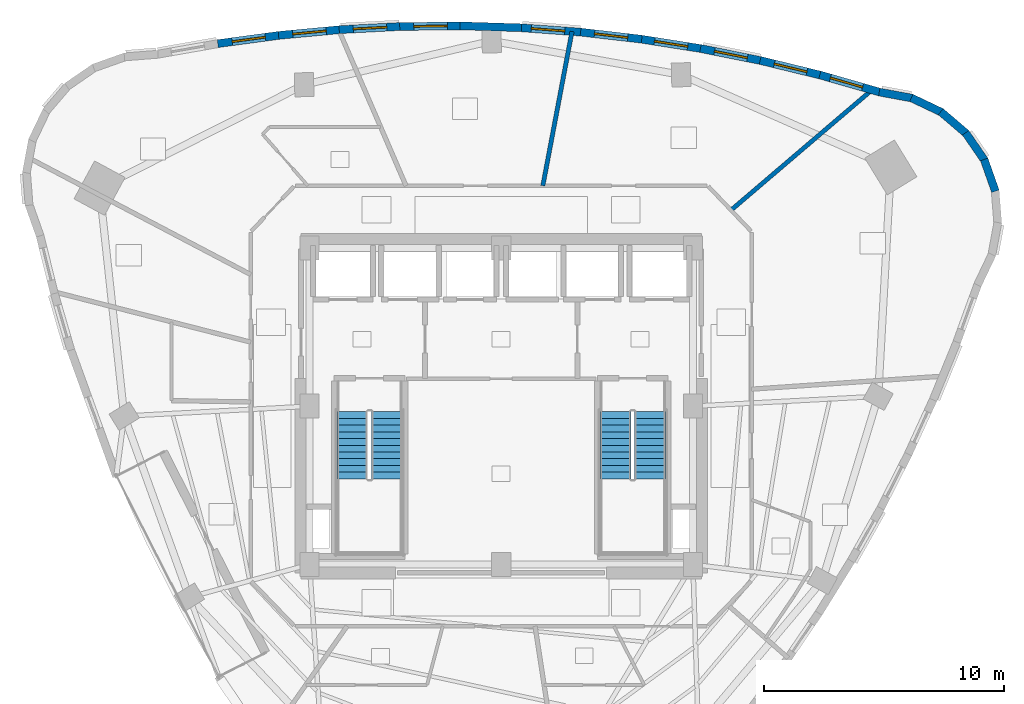
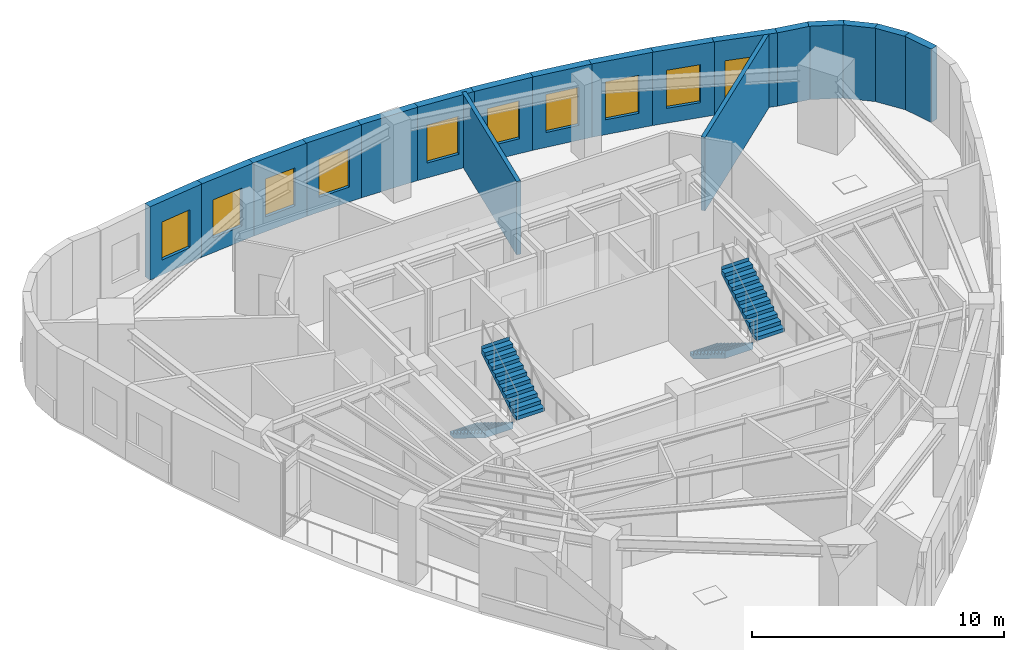
# One storey, part 9 of 12: 18 walls, 10 windows, 4 stair flights, 10 openings, 2 elements without a shape of their own.
"""IFC4 building model written with IfcOpenShell, lengths in metres."""

from ifc_helpers import new_model, si_unit, direction, frame, frame_2d, origin, place, context, subcontext, project, spatial, polyline, rectangle, outline, extrude, material, layer, layer_set, type_object, element, fill, aggregate, save


model = new_model("IFC4")

# Units and contexts
model_context = context("Model", 3, precision=1e-05, world=origin(), true_north=direction((0.0, 1.0)))
body_context = subcontext(model_context, "Body", "Model", "MODEL_VIEW")
ifc_project = project(units=[si_unit("LENGTHUNIT", "METRE"), si_unit("AREAUNIT", "SQUARE_METRE"), si_unit("VOLUMEUNIT", "CUBIC_METRE"), si_unit("PLANEANGLEUNIT", "RADIAN"), si_unit("MASSUNIT", "GRAM", prefix="KILO")], contexts=[model_context])

# Site, building, storey
site_placement = place(None, origin())
site = spatial("IfcSite", under=ifc_project, at=site_placement, CompositionType="ELEMENT")
building_placement = place(site_placement, origin())
building = spatial("IfcBuilding", under=site, at=building_placement, Name="Ndelora Gate Hotel", CompositionType="ELEMENT")
storey_placement = place(building_placement, frame((0.0, 0.0, 194.14990234375)))
storey = spatial("IfcBuildingStorey", under=building, at=storey_placement, Name="L48", CompositionType="ELEMENT", Elevation=194.14990234375)

# Walls
ifc_material_1 = material(Name="Acoustic Double-Stud Gypsum Assembly", Category="gypsum")
ifc_layer_1 = layer(ifc_material_1, 0.179931640625)
ifc_layer_set_1 = layer_set([ifc_layer_1], Name="Acoustic Double-Stud Gypsum Assembly")
wall_type_1 = type_object("IfcWallType", Name="WL-ACOUST-180", PredefinedType="PARTITIONING", material=ifc_layer_set_1)
wall_1_placement = place(storey_placement, frame((9.591064453125, 8.18115234375, 0.0), z_axis=(0.0, 0.0, 1.0), x_axis=(0.760812400489, 0.648971872474, 0.0)))
element("IfcWall", 1, at=wall_1_placement, inside=storey, type_object=wall_type_1, Name="L48 Interior Wall IW-3", PredefinedType="PARTITIONING", context=body_context, shape_type="SweptSolid", body=[
    extrude(rectangle(XDim=7.73193359375, YDim=0.179931640625, at=frame_2d((3.865966796875, 0.0))), origin(), (0.0, 0.0, 1.0), 3.550048828125),
])
wall_2_placement = place(storey_placement, frame((1.73876953125, 9.199951171875, 0.0), z_axis=(0.0, 0.0, 1.0), x_axis=(0.185690346743, 0.98260831216, 0.0)))
element("IfcWall", 2, at=wall_2_placement, inside=storey, type_object=wall_type_1, Name="L48 Interior Wall IW-3", PredefinedType="PARTITIONING", context=body_context, shape_type="SweptSolid", body=[
    extrude(rectangle(XDim=6.55029296875, YDim=0.179931640625, at=frame_2d((3.275146484375, 0.0))), origin(), (0.0, 0.0, 1.0), 3.550048828125),
])
ifc_material_2 = material(Name="Clay Brick Masonry", Category="masonry")
ifc_layer_2 = layer(ifc_material_2, 0.330078125)
ifc_layer_set_2 = layer_set([ifc_layer_2], Name="Clay Brick Masonry")
wall_type_2 = type_object("IfcWallType", Name="WL-BRICK-330", PredefinedType="SOLIDWALL", material=ifc_layer_set_2)
wall_3_placement = place(storey_placement, frame((20.153564453125, 10.296630859375, 0.0), z_axis=(0.0, 0.0, 1.0), x_axis=(0.333709077945, -0.942676111555, 0.0)))
element("IfcWall", 3, at=wall_3_placement, inside=storey, type_object=wall_type_2, Name="L48 Tower Brick Pier-and-Spandrel Wall TWR-42", PredefinedType="SOLIDWALL", context=body_context, shape_type="SweptSolid", body=[
    extrude(rectangle(XDim=1.40771484375, YDim=0.330078125, at=frame_2d((0.703857421875, 0.0))), origin(), (0.0, 0.0, 1.0), 3.550048828125),
])
for number, where, z_axis, x_axis, name in (
    (4, (19.37890625, 11.412353515625, 0.0), (0.0, 0.0, 1.0), (0.566374209812, -0.824148199331, 0.0), "L48 Tower Brick Pier-and-Spandrel Wall TWR-43"),
    (5, (18.341796875, 12.28955078125, 0.0), (0.0, 0.0, 1.0), (0.760430782952, -0.64941898982, 0.0), "L48 Tower Brick Pier-and-Spandrel Wall TWR-44"),
    (6, (17.113037109375, 12.86865234375, 0.0), (0.0, 0.0, 1.0), (0.902565310806, -0.430552969714, 0.0), "L48 Tower Brick Pier-and-Spandrel Wall TWR-45"),
):
    element("IfcWall", number, at=place(storey_placement, frame(where, z_axis=z_axis, x_axis=x_axis)), inside=storey, type_object=wall_type_2, Name=name, PredefinedType="SOLIDWALL", context=body_context, shape_type="SweptSolid", body=[
        extrude(rectangle(XDim=1.407470703125, YDim=0.330078125, at=frame_2d((0.70361328125, 0.0))), origin(), (0.0, 0.0, 1.0), 3.550048828125),
    ])
wall_4_placement = place(storey_placement, frame((15.7763671875, 13.109619140625, 0.0), z_axis=(0.0, 0.0, 1.0), x_axis=(0.983270499209, -0.182151380411, 0.0)))
element("IfcWall", 7, at=wall_4_placement, inside=storey, type_object=wall_type_2, Name="L48 Tower Brick Pier-and-Spandrel Wall TWR-46", PredefinedType="SOLIDWALL", context=body_context, shape_type="SweptSolid", body=[
    extrude(rectangle(XDim=1.4072265625, YDim=0.330078125, at=frame_2d((0.70361328125, 0.0))), origin(), (0.0, 0.0, 1.0), 3.550048828125),
])

# Wall, opening, window
wall_5_placement = place(storey_placement, frame((13.295166015625, 13.823486328125, 0.0), z_axis=(0.0, 0.0, 1.0), x_axis=(0.961267980462, -0.275615438135, 0.0)))
wall_5 = element("IfcWall", 8, at=wall_5_placement, inside=storey, type_object=wall_type_2, Name="L48 Tower Brick Pier-and-Spandrel Wall TWR-47", PredefinedType="SOLIDWALL", context=body_context, shape_type="SweptSolid", body=[
    extrude(rectangle(XDim=2.6318359375, YDim=0.330078125, at=frame_2d((1.31591796875, 0.0))), origin(), (0.0, 0.0, 1.0), 3.550048828125),
])
opening_1_placement = place(wall_5_placement, frame((0.4599609375, 0.0, 0.719970703125)))
opening_1 = element("IfcOpeningElement", 9, at=opening_1_placement, cuts=wall_5, Name="Opening W02", PredefinedType="OPENING", context=body_context, shape_type="SweptSolid", body=[
    extrude(rectangle(XDim=1.39990234375, YDim=1.840087890625, at=frame_2d((0.699951171875, 0.919921875))), frame((0.0, 0.175048828125, 0.0), z_axis=(0.0, -1.0, 0.0), x_axis=(1.0, 0.0, 0.0)), (0.0, 0.0, 1.0), 0.35009765625),
])
ifc_material_3 = material(Name="Insulated Low-E Double Glazing in Bronze Aluminium Frame", Category="aluminium")
window_type = type_object("IfcWindowType", Name="WN-DEEP-1400", PartitioningType="SINGLE_PANEL", PredefinedType="WINDOW", material=ifc_material_3)
window_1_placement = place(opening_1_placement, origin())
window_1 = element("IfcWindow", 10, at=window_1_placement, inside=storey, type_object=window_type, Name="L48 Deep-Set Brick-Pier Window W02", OverallHeight=1.840087890625, OverallWidth=1.39990234375, PartitioningType="SINGLE_PANEL", PredefinedType="WINDOW", context=body_context, shape_type="SweptSolid", body=[
    extrude(rectangle(XDim=1.39990234375, YDim=1.840087890625, at=frame_2d((0.699951171875, 0.919921875))), frame((0.0, 0.030029296875, 0.0), z_axis=(0.0, -1.0, 0.0), x_axis=(1.0, 0.0, 0.0)), (0.0, 0.0, 1.0), 0.06005859375),
])
fill(opening_1, window_1)

wall_6_placement = place(storey_placement, frame((10.8076171875, 14.428466796875, 0.0), z_axis=(0.0, 0.0, 1.0), x_axis=(0.971593821021, -0.236654699835, 0.0)))
wall_6 = element("IfcWall", 11, at=wall_6_placement, inside=storey, type_object=wall_type_2, Name="L48 Tower Brick Pier-and-Spandrel Wall TWR-48", PredefinedType="SOLIDWALL", context=body_context, shape_type="SweptSolid", body=[
    extrude(rectangle(XDim=2.610107421875, YDim=0.330078125, at=frame_2d((1.30517578125, 0.0))), origin(), (0.0, 0.0, 1.0), 3.550048828125),
])
opening_2_placement = place(wall_6_placement, frame((0.60498046875, 0.0, 0.719970703125)))
opening_2 = element("IfcOpeningElement", 12, at=opening_2_placement, cuts=wall_6, Name="Opening W02", PredefinedType="OPENING", context=body_context, shape_type="SweptSolid", body=[
    extrude(rectangle(XDim=1.39990234375, YDim=1.840087890625, at=frame_2d((0.699951171875, 0.919921875))), frame((0.0, 0.175048828125, 0.0), z_axis=(0.0, -1.0, 0.0), x_axis=(1.0, 0.0, 0.0)), (0.0, 0.0, 1.0), 0.35009765625),
])
window_2_placement = place(opening_2_placement, origin())
window_2 = element("IfcWindow", 13, at=window_2_placement, inside=storey, type_object=window_type, Name="L48 Deep-Set Brick-Pier Window W02", OverallHeight=1.840087890625, OverallWidth=1.39990234375, PartitioningType="SINGLE_PANEL", PredefinedType="WINDOW", context=body_context, shape_type="SweptSolid", body=[
    extrude(rectangle(XDim=1.39990234375, YDim=1.840087890625, at=frame_2d((0.699951171875, 0.919921875))), frame((0.0, 0.030029296875, 0.0), z_axis=(0.0, -1.0, 0.0), x_axis=(1.0, 0.0, 0.0)), (0.0, 0.0, 1.0), 0.06005859375),
])
fill(opening_2, window_2)

wall_7_placement = place(storey_placement, frame((8.314697265625, 14.927978515625, 0.0), z_axis=(0.0, 0.0, 1.0), x_axis=(0.980439161236, -0.196822384688, 0.0)))
wall_7 = element("IfcWall", 14, at=wall_7_placement, inside=storey, type_object=wall_type_2, Name="L48 Tower Brick Pier-and-Spandrel Wall TWR-49", PredefinedType="SOLIDWALL", context=body_context, shape_type="SweptSolid", body=[
    extrude(rectangle(XDim=2.592529296875, YDim=0.330078125, at=frame_2d((1.29638671875, 0.0))), origin(), (0.0, 0.0, 1.0), 3.550048828125),
])
opening_3_placement = place(wall_7_placement, frame((0.59619140625, 0.0, 0.719970703125)))
opening_3 = element("IfcOpeningElement", 15, at=opening_3_placement, cuts=wall_7, Name="Opening W02", PredefinedType="OPENING", context=body_context, shape_type="SweptSolid", body=[
    extrude(rectangle(XDim=1.39990234375, YDim=1.840087890625, at=frame_2d((0.699951171875, 0.919921875))), frame((0.0, 0.175048828125, 0.0), z_axis=(0.0, -1.0, 0.0), x_axis=(1.0, 0.0, 0.0)), (0.0, 0.0, 1.0), 0.35009765625),
])
window_3_placement = place(opening_3_placement, origin())
window_3 = element("IfcWindow", 16, at=window_3_placement, inside=storey, type_object=window_type, Name="L48 Deep-Set Brick-Pier Window W02", OverallHeight=1.840087890625, OverallWidth=1.39990234375, PartitioningType="SINGLE_PANEL", PredefinedType="WINDOW", context=body_context, shape_type="SweptSolid", body=[
    extrude(rectangle(XDim=1.39990234375, YDim=1.840087890625, at=frame_2d((0.699951171875, 0.919921875))), frame((0.0, 0.030029296875, 0.0), z_axis=(0.0, -1.0, 0.0), x_axis=(1.0, 0.0, 0.0)), (0.0, 0.0, 1.0), 0.06005859375),
])
fill(opening_3, window_3)

wall_8_placement = place(storey_placement, frame((5.816162109375, 15.322265625, 0.0), z_axis=(0.0, 0.0, 1.0), x_axis=(0.987713798628, -0.156273644613, 0.0)))
wall_8 = element("IfcWall", 17, at=wall_8_placement, inside=storey, type_object=wall_type_2, Name="L48 Tower Brick Pier-and-Spandrel Wall TWR-50", PredefinedType="SOLIDWALL", context=body_context, shape_type="SweptSolid", body=[
    extrude(rectangle(XDim=2.579345703125, YDim=0.330078125, at=frame_2d((1.28955078125, 0.0))), origin(), (0.0, 0.0, 1.0), 3.550048828125),
])
opening_4_placement = place(wall_8_placement, frame((0.589599609375, 0.0, 0.719970703125)))
opening_4 = element("IfcOpeningElement", 18, at=opening_4_placement, cuts=wall_8, Name="Opening W02", PredefinedType="OPENING", context=body_context, shape_type="SweptSolid", body=[
    extrude(rectangle(XDim=1.39990234375, YDim=1.840087890625, at=frame_2d((0.699951171875, 0.919921875))), frame((0.0, 0.175048828125, 0.0), z_axis=(0.0, -1.0, 0.0), x_axis=(1.0, 0.0, 0.0)), (0.0, 0.0, 1.0), 0.35009765625),
])
window_4_placement = place(opening_4_placement, origin())
window_4 = element("IfcWindow", 19, at=window_4_placement, inside=storey, type_object=window_type, Name="L48 Deep-Set Brick-Pier Window W02", OverallHeight=1.840087890625, OverallWidth=1.39990234375, PartitioningType="SINGLE_PANEL", PredefinedType="WINDOW", context=body_context, shape_type="SweptSolid", body=[
    extrude(rectangle(XDim=1.39990234375, YDim=1.840087890625, at=frame_2d((0.699951171875, 0.919921875))), frame((0.0, 0.030029296875, 0.0), z_axis=(0.0, -1.0, 0.0), x_axis=(1.0, 0.0, 0.0)), (0.0, 0.0, 1.0), 0.06005859375),
])
fill(opening_4, window_4)

wall_9_placement = place(storey_placement, frame((3.312255859375, 15.611083984375, 0.0), z_axis=(0.0, 0.0, 1.0), x_axis=(0.993362262195, -0.115027892476, 0.0)))
wall_9 = element("IfcWall", 20, at=wall_9_placement, inside=storey, type_object=wall_type_2, Name="L48 Tower Brick Pier-and-Spandrel Wall TWR-51", PredefinedType="SOLIDWALL", context=body_context, shape_type="SweptSolid", body=[
    extrude(rectangle(XDim=2.5703125, YDim=0.330078125, at=frame_2d((1.28515625, 0.0))), origin(), (0.0, 0.0, 1.0), 3.550048828125),
])
opening_5_placement = place(wall_9_placement, frame((0.585205078125, 0.0, 0.719970703125)))
opening_5 = element("IfcOpeningElement", 21, at=opening_5_placement, cuts=wall_9, Name="Opening W02", PredefinedType="OPENING", context=body_context, shape_type="SweptSolid", body=[
    extrude(rectangle(XDim=1.39990234375, YDim=1.840087890625, at=frame_2d((0.699951171875, 0.919921875))), frame((0.0, 0.175048828125, 0.0), z_axis=(0.0, -1.0, 0.0), x_axis=(1.0, 0.0, 0.0)), (0.0, 0.0, 1.0), 0.35009765625),
])
window_5_placement = place(opening_5_placement, origin())
window_5 = element("IfcWindow", 22, at=window_5_placement, inside=storey, type_object=window_type, Name="L48 Deep-Set Brick-Pier Window W02", OverallHeight=1.840087890625, OverallWidth=1.39990234375, PartitioningType="SINGLE_PANEL", PredefinedType="WINDOW", context=body_context, shape_type="SweptSolid", body=[
    extrude(rectangle(XDim=1.39990234375, YDim=1.840087890625, at=frame_2d((0.699951171875, 0.919921875))), frame((0.0, 0.030029296875, 0.0), z_axis=(0.0, -1.0, 0.0), x_axis=(1.0, 0.0, 0.0)), (0.0, 0.0, 1.0), 0.06005859375),
])
fill(opening_5, window_5)

wall_10_placement = place(storey_placement, frame((0.802734375, 15.794189453125, 0.0), z_axis=(0.0, 0.0, 1.0), x_axis=(0.9973127393, -0.073261859308, 0.0)))
wall_10 = element("IfcWall", 23, at=wall_10_placement, inside=storey, type_object=wall_type_2, Name="L48 Tower Brick Pier-and-Spandrel Wall TWR-52", PredefinedType="SOLIDWALL", context=body_context, shape_type="SweptSolid", body=[
    extrude(rectangle(XDim=2.56591796875, YDim=0.330078125, at=frame_2d((1.282958984375, 0.0))), origin(), (0.0, 0.0, 1.0), 3.550048828125),
])
opening_6_placement = place(wall_10_placement, frame((0.4599609375, 0.0, 0.719970703125)))
opening_6 = element("IfcOpeningElement", 24, at=opening_6_placement, cuts=wall_10, Name="Opening W02", PredefinedType="OPENING", context=body_context, shape_type="SweptSolid", body=[
    extrude(rectangle(XDim=1.39990234375, YDim=1.840087890625, at=frame_2d((0.699951171875, 0.919921875))), frame((0.0, 0.175048828125, 0.0), z_axis=(0.0, -1.0, 0.0), x_axis=(1.0, 0.0, 0.0)), (0.0, 0.0, 1.0), 0.35009765625),
])
window_6_placement = place(opening_6_placement, origin())
window_6 = element("IfcWindow", 25, at=window_6_placement, inside=storey, type_object=window_type, Name="L48 Deep-Set Brick-Pier Window W02", OverallHeight=1.840087890625, OverallWidth=1.39990234375, PartitioningType="SINGLE_PANEL", PredefinedType="WINDOW", context=body_context, shape_type="SweptSolid", body=[
    extrude(rectangle(XDim=1.39990234375, YDim=1.840087890625, at=frame_2d((0.699951171875, 0.919921875))), frame((0.0, 0.030029296875, 0.0), z_axis=(0.0, -1.0, 0.0), x_axis=(1.0, 0.0, 0.0)), (0.0, 0.0, 1.0), 0.06005859375),
])
fill(opening_6, window_6)

# Wall
wall_11_placement = place(storey_placement, frame((-1.712158203125, 15.872314453125, 0.0), z_axis=(0.0, 0.0, 1.0), x_axis=(0.999506957349, -0.031398124315, 0.0)))
element("IfcWall", 26, at=wall_11_placement, inside=storey, type_object=wall_type_2, Name="L48 Tower Brick Pier-and-Spandrel Wall TWR-53", PredefinedType="SOLIDWALL", context=body_context, shape_type="SweptSolid", body=[
    extrude(rectangle(XDim=2.56591796875, YDim=0.330078125, at=frame_2d((1.282958984375, 0.0))), origin(), (0.0, 0.0, 1.0), 3.550048828125),
])

# Wall, opening, window
wall_12_placement = place(storey_placement, frame((-4.232666015625, 15.8447265625, 0.0), z_axis=(0.0, 0.0, 1.0), x_axis=(0.999945431053, 0.010446765829, 0.0)))
wall_12 = element("IfcWall", 27, at=wall_12_placement, inside=storey, type_object=wall_type_2, Name="L48 Tower Brick Pier-and-Spandrel Wall TWR-54", PredefinedType="SOLIDWALL", context=body_context, shape_type="SweptSolid", body=[
    extrude(rectangle(XDim=2.57080078125, YDim=0.330078125, at=frame_2d((1.285400390625, 0.0))), origin(), (0.0, 0.0, 1.0), 3.550048828125),
])
opening_7_placement = place(wall_12_placement, frame((0.585205078125, 0.0, 0.719970703125)))
opening_7 = element("IfcOpeningElement", 28, at=opening_7_placement, cuts=wall_12, Name="Opening W02", PredefinedType="OPENING", context=body_context, shape_type="SweptSolid", body=[
    extrude(rectangle(XDim=1.39990234375, YDim=1.840087890625, at=frame_2d((0.699951171875, 0.919921875))), frame((0.0, 0.175048828125, 0.0), z_axis=(0.0, -1.0, 0.0), x_axis=(1.0, 0.0, 0.0)), (0.0, 0.0, 1.0), 0.35009765625),
])
window_7_placement = place(opening_7_placement, origin())
window_7 = element("IfcWindow", 29, at=window_7_placement, inside=storey, type_object=window_type, Name="L48 Deep-Set Brick-Pier Window W02", OverallHeight=1.840087890625, OverallWidth=1.39990234375, PartitioningType="SINGLE_PANEL", PredefinedType="WINDOW", context=body_context, shape_type="SweptSolid", body=[
    extrude(rectangle(XDim=1.39990234375, YDim=1.840087890625, at=frame_2d((0.699951171875, 0.919921875))), frame((0.0, 0.030029296875, 0.0), z_axis=(0.0, -1.0, 0.0), x_axis=(1.0, 0.0, 0.0)), (0.0, 0.0, 1.0), 0.06005859375),
])
fill(opening_7, window_7)

wall_13_placement = place(storey_placement, frame((-6.758544921875, 15.7119140625, 0.0), z_axis=(0.0, 0.0, 1.0), x_axis=(0.998644110944, 0.052057080942, 0.0)))
wall_13 = element("IfcWall", 30, at=wall_13_placement, inside=storey, type_object=wall_type_2, Name="L48 Tower Brick Pier-and-Spandrel Wall TWR-55", PredefinedType="SOLIDWALL", context=body_context, shape_type="SweptSolid", body=[
    extrude(rectangle(XDim=2.579345703125, YDim=0.330078125, at=frame_2d((1.28955078125, 0.0))), origin(), (0.0, 0.0, 1.0), 3.550048828125),
])
opening_8_placement = place(wall_13_placement, frame((0.589599609375, 0.0, 0.719970703125)))
opening_8 = element("IfcOpeningElement", 31, at=opening_8_placement, cuts=wall_13, Name="Opening W02", PredefinedType="OPENING", context=body_context, shape_type="SweptSolid", body=[
    extrude(rectangle(XDim=1.39990234375, YDim=1.840087890625, at=frame_2d((0.699951171875, 0.919921875))), frame((0.0, 0.175048828125, 0.0), z_axis=(0.0, -1.0, 0.0), x_axis=(1.0, 0.0, 0.0)), (0.0, 0.0, 1.0), 0.35009765625),
])
window_8_placement = place(opening_8_placement, origin())
window_8 = element("IfcWindow", 32, at=window_8_placement, inside=storey, type_object=window_type, Name="L48 Deep-Set Brick-Pier Window W02", OverallHeight=1.840087890625, OverallWidth=1.39990234375, PartitioningType="SINGLE_PANEL", PredefinedType="WINDOW", context=body_context, shape_type="SweptSolid", body=[
    extrude(rectangle(XDim=1.39990234375, YDim=1.840087890625, at=frame_2d((0.699951171875, 0.919921875))), frame((0.0, 0.030029296875, 0.0), z_axis=(0.0, -1.0, 0.0), x_axis=(1.0, 0.0, 0.0)), (0.0, 0.0, 1.0), 0.06005859375),
])
fill(opening_8, window_8)

wall_14_placement = place(storey_placement, frame((-9.289794921875, 15.473388671875, 0.0), z_axis=(0.0, 0.0, 1.0), x_axis=(0.9956361402, 0.093320288938, 0.0)))
wall_14 = element("IfcWall", 33, at=wall_14_placement, inside=storey, type_object=wall_type_2, Name="L48 Tower Brick Pier-and-Spandrel Wall TWR-56", PredefinedType="SOLIDWALL", context=body_context, shape_type="SweptSolid", body=[
    extrude(rectangle(XDim=2.592529296875, YDim=0.330078125, at=frame_2d((1.29638671875, 0.0))), origin(), (0.0, 0.0, 1.0), 3.550048828125),
])
opening_9_placement = place(wall_14_placement, frame((0.59619140625, 0.0, 0.719970703125)))
opening_9 = element("IfcOpeningElement", 34, at=opening_9_placement, cuts=wall_14, Name="Opening W02", PredefinedType="OPENING", context=body_context, shape_type="SweptSolid", body=[
    extrude(rectangle(XDim=1.39990234375, YDim=1.840087890625, at=frame_2d((0.699951171875, 0.919921875))), frame((0.0, 0.175048828125, 0.0), z_axis=(0.0, -1.0, 0.0), x_axis=(1.0, 0.0, 0.0)), (0.0, 0.0, 1.0), 0.35009765625),
])
window_9_placement = place(opening_9_placement, origin())
window_9 = element("IfcWindow", 35, at=window_9_placement, inside=storey, type_object=window_type, Name="L48 Deep-Set Brick-Pier Window W02", OverallHeight=1.840087890625, OverallWidth=1.39990234375, PartitioningType="SINGLE_PANEL", PredefinedType="WINDOW", context=body_context, shape_type="SweptSolid", body=[
    extrude(rectangle(XDim=1.39990234375, YDim=1.840087890625, at=frame_2d((0.699951171875, 0.919921875))), frame((0.0, 0.030029296875, 0.0), z_axis=(0.0, -1.0, 0.0), x_axis=(1.0, 0.0, 0.0)), (0.0, 0.0, 1.0), 0.06005859375),
])
fill(opening_9, window_9)

wall_15_placement = place(storey_placement, frame((-11.82666015625, 15.1298828125, 0.0), z_axis=(0.0, 0.0, 1.0), x_axis=(0.991012550784, 0.133768920863, 0.0)))
wall_15 = element("IfcWall", 36, at=wall_15_placement, inside=storey, type_object=wall_type_2, Name="L48 Tower Brick Pier-and-Spandrel Wall TWR-57", PredefinedType="SOLIDWALL", context=body_context, shape_type="SweptSolid", body=[
    extrude(rectangle(XDim=2.60986328125, YDim=0.330078125, at=frame_2d((1.304931640625, 0.0))), origin(), (0.0, 0.0, 1.0), 3.550048828125),
])
opening_10_placement = place(wall_15_placement, frame((0.60498046875, 0.0, 0.719970703125)))
opening_10 = element("IfcOpeningElement", 37, at=opening_10_placement, cuts=wall_15, Name="Opening W02", PredefinedType="OPENING", context=body_context, shape_type="SweptSolid", body=[
    extrude(rectangle(XDim=1.39990234375, YDim=1.840087890625, at=frame_2d((0.699951171875, 0.919921875))), frame((0.0, 0.175048828125, 0.0), z_axis=(0.0, -1.0, 0.0), x_axis=(1.0, 0.0, 0.0)), (0.0, 0.0, 1.0), 0.35009765625),
])
window_10_placement = place(opening_10_placement, origin())
window_10 = element("IfcWindow", 38, at=window_10_placement, inside=storey, type_object=window_type, Name="L48 Deep-Set Brick-Pier Window W02", OverallHeight=1.840087890625, OverallWidth=1.39990234375, PartitioningType="SINGLE_PANEL", PredefinedType="WINDOW", context=body_context, shape_type="SweptSolid", body=[
    extrude(rectangle(XDim=1.39990234375, YDim=1.840087890625, at=frame_2d((0.699951171875, 0.919921875))), frame((0.0, 0.030029296875, 0.0), z_axis=(0.0, -1.0, 0.0), x_axis=(1.0, 0.0, 0.0)), (0.0, 0.0, 1.0), 0.06005859375),
])
fill(opening_10, window_10)

# Stair, stair flights
ifc_material_4 = material(Name="Precast concrete C40/50", Category="concrete")
stair_type = type_object("IfcStairType", Name="STR-DOG-CORE", PredefinedType="HALF_TURN_STAIR", material=ifc_material_4)
stair_1_placement = place(storey_placement, origin())
stair_1 = element("IfcStair", 39, at=stair_1_placement, inside=storey, type_object=stair_type, Name="L48 Protected Core Exit Stair ST4", PredefinedType="HALF_TURN_STAIR")
stair_flight_type = type_object("IfcStairFlightType", Name="STF-PRECAST", PredefinedType="STRAIGHT", material=ifc_material_4)
stair_flight_1_placement = place(storey_placement, frame((-6.2099609375, -0.22998046875, 0.0), z_axis=(0.0, 0.0, 1.0), x_axis=(0.0, -1.0, 0.0)))
stair_flight_1 = element("IfcStairFlight", 40, at=stair_flight_1_placement, type_object=stair_flight_type, Name="ST4 flight 1", NumberOfRisers=11, NumberOfTreads=10, PredefinedType="STRAIGHT", RiserHeight=0.172727273, TreadLength=0.28, context=body_context, shape_type="SweptSolid", body=[
    extrude(outline(polyline([(-0.00048828125, 0.0), (-0.00048828125, 0.172607421875), (0.0, 0.172607421875), (0.280029296875, 0.172607421875), (0.280029296875, 0.345458984375), (0.56005859375, 0.345458984375), (0.56005859375, 0.51806640625), (0.840087890625, 0.51806640625), (0.840087890625, 0.69091796875), (1.1201171875, 0.69091796875), (1.1201171875, 0.863525390625), (1.39990234375, 0.863525390625), (1.39990234375, 1.036376953125), (1.679931640625, 1.036376953125), (1.679931640625, 1.208984375), (1.9599609375, 1.208984375), (1.9599609375, 1.3818359375), (2.239990234375, 1.3818359375), (2.239990234375, 1.554443359375), (2.52001953125, 1.554443359375), (2.52001953125, 1.727294921875), (2.800048828125, 1.727294921875), (2.800048828125, 1.89990234375), (2.800537109375, 1.89990234375), (2.800537109375, 1.719970703125), (2.800048828125, 1.551025390625), (0.285400390625, 0.0), (-0.00048828125, 0.0)])), frame((0.0, 0.64013671875, 0.0), z_axis=(0.0, -1.0, 0.0), x_axis=(1.0, 0.0, 0.0)), (0.0, 0.0, 1.0), 1.280029296875),
])
stair_flight_2_placement = place(storey_placement, frame((-4.77001953125, -3.030029296875, 1.900146484375), z_axis=(0.0, 0.0, 1.0), x_axis=(0.0, 1.0, 0.0)))
stair_flight_2 = element("IfcStairFlight", 41, at=stair_flight_2_placement, type_object=stair_flight_type, Name="ST4 flight 2", NumberOfRisers=11, NumberOfTreads=10, PredefinedType="STRAIGHT", RiserHeight=0.172727273, TreadLength=0.28, context=body_context, shape_type="SweptSolid", body=[
    extrude(outline(polyline([(-0.00048828125, 0.0), (-0.00048828125, 0.172607421875), (0.0, 0.172607421875), (0.280029296875, 0.172607421875), (0.280029296875, 0.345458984375), (0.56005859375, 0.345458984375), (0.56005859375, 0.51806640625), (0.840087890625, 0.51806640625), (0.840087890625, 0.69091796875), (1.1201171875, 0.69091796875), (1.1201171875, 0.863525390625), (1.39990234375, 0.863525390625), (1.39990234375, 1.036376953125), (1.679931640625, 1.036376953125), (1.679931640625, 1.208984375), (1.9599609375, 1.208984375), (1.9599609375, 1.3818359375), (2.239990234375, 1.3818359375), (2.239990234375, 1.554443359375), (2.52001953125, 1.554443359375), (2.52001953125, 1.727294921875), (2.800048828125, 1.727294921875), (2.800048828125, 1.89990234375), (2.800537109375, 1.89990234375), (2.800537109375, 1.719970703125), (2.800048828125, 1.551025390625), (0.285400390625, 0.0), (-0.00048828125, 0.0)])), frame((0.0, 0.64013671875, 0.0), z_axis=(0.0, -1.0, 0.0), x_axis=(1.0, 0.0, 0.0)), (0.0, 0.0, 1.0), 1.280029296875),
])
aggregate(stair_1, [stair_flight_1, stair_flight_2])

stair_2_placement = place(storey_placement, origin())
stair_2 = element("IfcStair", 42, at=stair_2_placement, inside=storey, type_object=stair_type, Name="L48 Protected Core Exit Stair ST5", PredefinedType="HALF_TURN_STAIR")
stair_flight_3_placement = place(storey_placement, frame((4.77001953125, -0.22998046875, 0.0), z_axis=(0.0, 0.0, 1.0), x_axis=(0.0, -1.0, 0.0)))
stair_flight_3 = element("IfcStairFlight", 43, at=stair_flight_3_placement, type_object=stair_flight_type, Name="ST5 flight 1", NumberOfRisers=11, NumberOfTreads=10, PredefinedType="STRAIGHT", RiserHeight=0.172727273, TreadLength=0.28, context=body_context, shape_type="SweptSolid", body=[
    extrude(outline(polyline([(-0.00048828125, 0.0), (-0.00048828125, 0.172607421875), (0.0, 0.172607421875), (0.280029296875, 0.172607421875), (0.280029296875, 0.345458984375), (0.56005859375, 0.345458984375), (0.56005859375, 0.51806640625), (0.840087890625, 0.51806640625), (0.840087890625, 0.69091796875), (1.1201171875, 0.69091796875), (1.1201171875, 0.863525390625), (1.39990234375, 0.863525390625), (1.39990234375, 1.036376953125), (1.679931640625, 1.036376953125), (1.679931640625, 1.208984375), (1.9599609375, 1.208984375), (1.9599609375, 1.3818359375), (2.239990234375, 1.3818359375), (2.239990234375, 1.554443359375), (2.52001953125, 1.554443359375), (2.52001953125, 1.727294921875), (2.800048828125, 1.727294921875), (2.800048828125, 1.89990234375), (2.800537109375, 1.89990234375), (2.800537109375, 1.719970703125), (2.800048828125, 1.551025390625), (0.285400390625, 0.0), (-0.00048828125, 0.0)])), frame((0.0, 0.64013671875, 0.0), z_axis=(0.0, -1.0, 0.0), x_axis=(1.0, 0.0, 0.0)), (0.0, 0.0, 1.0), 1.280029296875),
])
stair_flight_4_placement = place(storey_placement, frame((6.2099609375, -3.030029296875, 1.900146484375), z_axis=(0.0, 0.0, 1.0), x_axis=(0.0, 1.0, 0.0)))
stair_flight_4 = element("IfcStairFlight", 44, at=stair_flight_4_placement, type_object=stair_flight_type, Name="ST5 flight 2", NumberOfRisers=11, NumberOfTreads=10, PredefinedType="STRAIGHT", RiserHeight=0.172727273, TreadLength=0.28, context=body_context, shape_type="SweptSolid", body=[
    extrude(outline(polyline([(-0.00048828125, 0.0), (-0.00048828125, 0.172607421875), (0.0, 0.172607421875), (0.280029296875, 0.172607421875), (0.280029296875, 0.345458984375), (0.56005859375, 0.345458984375), (0.56005859375, 0.51806640625), (0.840087890625, 0.51806640625), (0.840087890625, 0.69091796875), (1.1201171875, 0.69091796875), (1.1201171875, 0.863525390625), (1.39990234375, 0.863525390625), (1.39990234375, 1.036376953125), (1.679931640625, 1.036376953125), (1.679931640625, 1.208984375), (1.9599609375, 1.208984375), (1.9599609375, 1.3818359375), (2.239990234375, 1.3818359375), (2.239990234375, 1.554443359375), (2.52001953125, 1.554443359375), (2.52001953125, 1.727294921875), (2.800048828125, 1.727294921875), (2.800048828125, 1.89990234375), (2.800537109375, 1.89990234375), (2.800537109375, 1.719970703125), (2.800048828125, 1.551025390625), (0.285400390625, 0.0), (-0.00048828125, 0.0)])), frame((0.0, 0.64013671875, 0.0), z_axis=(0.0, -1.0, 0.0), x_axis=(1.0, 0.0, 0.0)), (0.0, 0.0, 1.0), 1.280029296875),
])
aggregate(stair_2, [stair_flight_3, stair_flight_4])

save(model, "model.ifc")
